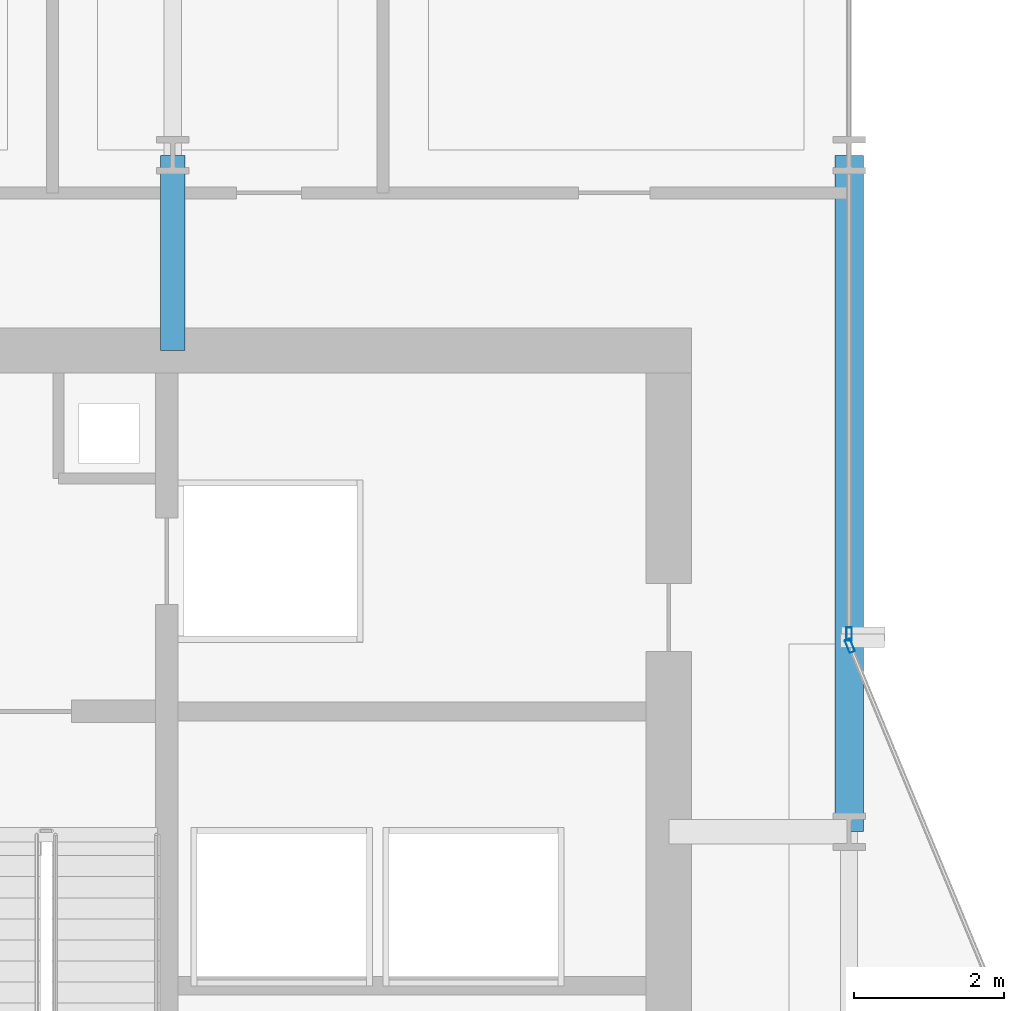
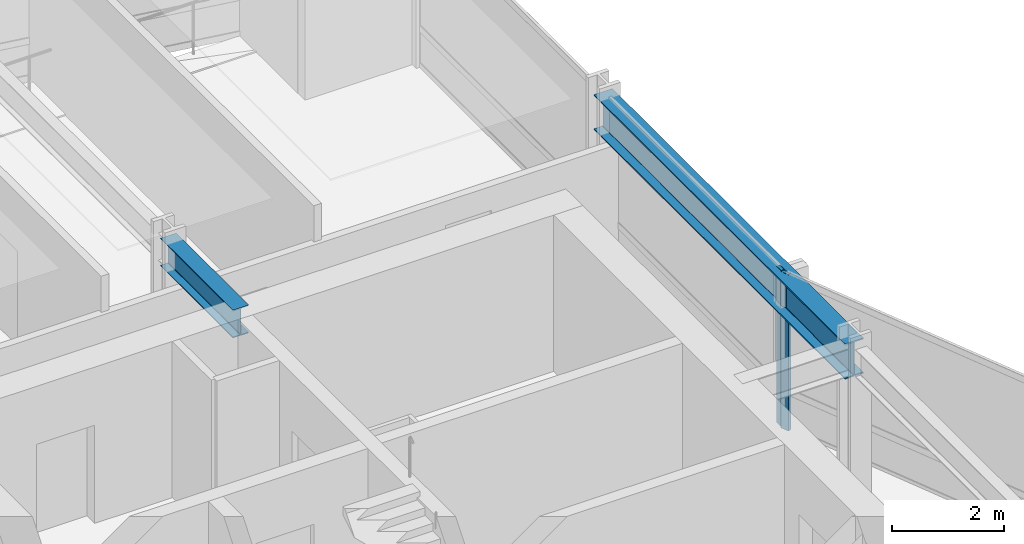
# One storey, part 21 of 34: 2 beams, 2 members, 2 elements without a shape of their own.
"""IFC4 building model written with IfcOpenShell, lengths in metres."""

from ifc_helpers import new_model, si_unit, direction, frame, origin, origin_2d, place, context, subcontext, project, spatial, hollow_rectangle, i_section, extrude, material, layer, layer_set, material_profile, profile_set, type_object, element, aggregate, save


model = new_model("IFC4")

# Units and contexts
model_context = context("Model", 3, precision=1e-05, world=origin(), true_north=direction((0.0, 1.0)))
body_context = subcontext(model_context, "Body", "Model", "MODEL_VIEW")
ifc_project = project(units=[si_unit("LENGTHUNIT", "METRE"), si_unit("AREAUNIT", "SQUARE_METRE"), si_unit("VOLUMEUNIT", "CUBIC_METRE"), si_unit("PLANEANGLEUNIT", "RADIAN"), si_unit("MASSUNIT", "GRAM", prefix="KILO")], contexts=[model_context])

# Site, building, storey
site_placement = place(None, origin())
site = spatial("IfcSite", under=ifc_project, at=site_placement, CompositionType="ELEMENT")
building_placement = place(site_placement, origin())
building = spatial("IfcBuilding", under=site, at=building_placement, Name="Solvaryn Broadcast Tower", CompositionType="ELEMENT")
storey_placement = place(building_placement, frame((0.0, 0.0, 54.5)))
storey = spatial("IfcBuildingStorey", under=building, at=storey_placement, Name="L12", CompositionType="ELEMENT", Elevation=54.5)

# Beams
ifc_material_1 = material(Name="Steel ASTM A992 Grade 50", Category="steel")
ifc_material_profile_1 = material_profile(ifc_material_1, i_section(OverallWidth=0.323974609375, OverallDepth=0.611083984375, WebThickness=0.0126953125, FlangeThickness=0.01904296875, FilletRadius=0.014892578125, at=origin_2d()))
ifc_profile_set_1 = profile_set([ifc_material_profile_1], Name="Steel ASTM A992 Grade 50")
beam_type_1 = type_object("IfcBeamType", Name="BM-B1-W24X104", PredefinedType="BEAM", material=ifc_profile_set_1)
beam_1_placement = place(storey_placement, frame((18.0, 42.39990234375, 3.114501953125), z_axis=(0.0, 1.0, 0.0), x_axis=(-1.0, 0.0, 0.0)))
element("IfcBeam", 1, at=beam_1_placement, inside=storey, type_object=beam_type_1, Name="L12 Core Tie Beam CTW3", PredefinedType="BEAM", context=body_context, shape_type="SweptSolid", body=[
    extrude(i_section(OverallWidth=0.323974609375, OverallDepth=0.611083984375, WebThickness=0.0126953125, FlangeThickness=0.01904296875, FilletRadius=0.014892578125, at=origin_2d()), origin(), (0.0, 0.0, 1.0), 2.60009765625),
])
ifc_material_2 = material(Name="Steel ASTM A992 Grade 50", Category="steel")
ifc_material_profile_2 = material_profile(ifc_material_2, i_section(OverallWidth=0.381103515625, OverallDepth=0.77294921875, WebThickness=0.0166015625, FlangeThickness=0.027099609375, FilletRadius=0.01806640625, at=origin_2d()))
ifc_profile_set_2 = profile_set([ifc_material_profile_2], Name="Steel ASTM A992 Grade 50")
beam_type_2 = type_object("IfcBeamType", Name="BM-SP1-W30X173", PredefinedType="USERDEFINED", material=ifc_profile_set_2)
beam_2_placement = place(storey_placement, frame((27.0, 36.0, 3.033447265625), z_axis=(0.0, 1.0, 0.0), x_axis=(-1.0, 0.0, 0.0)))
element("IfcBeam", 2, at=beam_2_placement, inside=storey, type_object=beam_type_2, Name="L12 Spandrel Beam Y (36-45 @ X=27)", ObjectType="SPANDREL", PredefinedType="USERDEFINED", context=body_context, shape_type="SweptSolid", body=[
    extrude(i_section(OverallWidth=0.381103515625, OverallDepth=0.77294921875, WebThickness=0.0166015625, FlangeThickness=0.027099609375, FilletRadius=0.01806640625, at=origin_2d()), origin(), (0.0, 0.0, 1.0), 9.0),
])

# Curtain wall, member
ifc_material_3 = material(Name="Aluminium and Terracotta Unitised Curtain Wall", Category="masonry")
ifc_layer = layer(ifc_material_3, 0.199951171875)
ifc_layer_set = layer_set([ifc_layer], Name="CW-SYS2-LOWMID")
curtain_wall_type = type_object("IfcCurtainWallType", Name="CW-SYS2-LOWMID", PredefinedType="NOTDEFINED", material=ifc_layer_set)
curtain_wall_1_placement = place(storey_placement, origin())
curtain_wall_1 = element("IfcCurtainWall", 3, at=curtain_wall_1_placement, inside=storey, type_object=curtain_wall_type, Name="L12 Curtain Wall IV", PredefinedType="NOTDEFINED")
ifc_material_4 = material(Name="Anodised Aluminium 6063-T6", Category="aluminium")
ifc_material_profile_3 = material_profile(ifc_material_4, hollow_rectangle(XDim=0.074951171875, YDim=0.179931640625, WallThickness=0.00390625, InnerFilletRadius=0.00390625, OuterFilletRadius=0.008056640625, at=origin_2d()))
ifc_profile_set_3 = profile_set([ifc_material_profile_3], Name="Anodised Aluminium 6063-T6")
member_type = type_object("IfcMemberType", Name="CW-MUL-180", PredefinedType="MULLION", material=ifc_profile_set_3)
member_1_placement = place(storey_placement, frame((27.0, 38.6298828125, 0.0), z_axis=(0.0, 0.0, 1.0), x_axis=(1.0, 0.0, 0.0)))
member_1 = element("IfcMember", 4, at=member_1_placement, type_object=member_type, Name="CWS2 mullion 2", PredefinedType="MULLION", context=body_context, shape_type="SweptSolid", body=[
    extrude(hollow_rectangle(XDim=0.074951171875, YDim=0.179931640625, WallThickness=0.00390625, InnerFilletRadius=0.00390625, OuterFilletRadius=0.008056640625, at=origin_2d()), origin(), (0.0, 0.0, 1.0), 3.419921875),
])
aggregate(curtain_wall_1, [member_1])

curtain_wall_2_placement = place(storey_placement, origin())
curtain_wall_2 = element("IfcCurtainWall", 5, at=curtain_wall_2_placement, inside=storey, type_object=curtain_wall_type, Name="L12 Curtain Wall CN2", PredefinedType="NOTDEFINED")
member_2_placement = place(storey_placement, frame((27.011474609375, 38.47216796875, 0.0), z_axis=(0.0, 0.0, 1.0), x_axis=(-0.923894983957, -0.382646127145, 0.0)))
member_2 = element("IfcMember", 6, at=member_2_placement, type_object=member_type, Name="CWS2 mullion 2", PredefinedType="MULLION", context=body_context, shape_type="SweptSolid", body=[
    extrude(hollow_rectangle(XDim=0.074951171875, YDim=0.179931640625, WallThickness=0.00390625, InnerFilletRadius=0.00390625, OuterFilletRadius=0.008056640625, at=origin_2d()), origin(), (0.0, 0.0, 1.0), 3.419921875),
])
aggregate(curtain_wall_2, [member_2])

save(model, "model.ifc")
